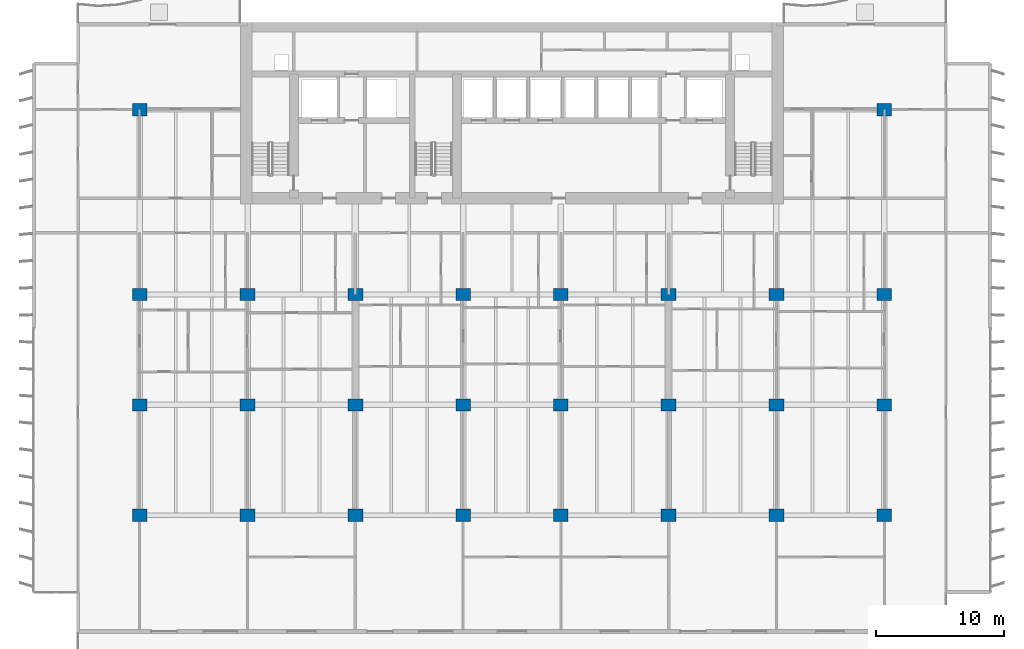
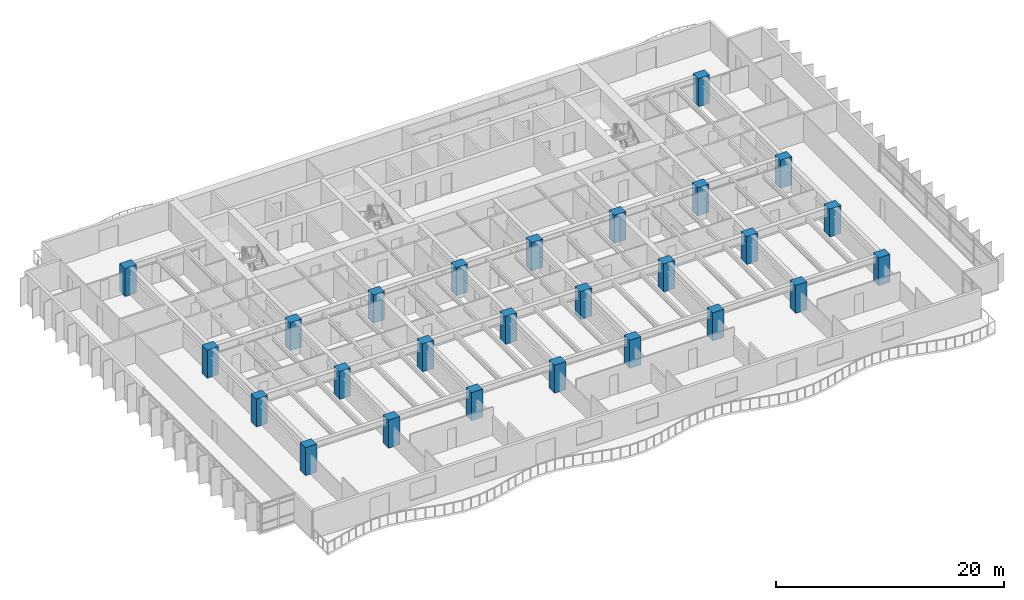
# One storey, part 1 of 15: 26 columns.
"""IFC4 building model written with IfcOpenShell, lengths in metres."""

from ifc_helpers import new_model, si_unit, direction, frame, origin, origin_2d, place, context, subcontext, project, spatial, rectangle, extrude, material, material_profile, profile_set, type_object, element, save


model = new_model("IFC4")

# Units and contexts
model_context = context("Model", 3, precision=1e-05, world=origin(), true_north=direction((0.0, 1.0)))
body_context = subcontext(model_context, "Body", "Model", "MODEL_VIEW")
ifc_project = project(units=[si_unit("LENGTHUNIT", "METRE"), si_unit("AREAUNIT", "SQUARE_METRE"), si_unit("VOLUMEUNIT", "CUBIC_METRE"), si_unit("PLANEANGLEUNIT", "RADIAN"), si_unit("MASSUNIT", "GRAM", prefix="KILO")], contexts=[model_context])

# Site, building, storey
site_placement = place(None, origin())
site = spatial("IfcSite", under=ifc_project, at=site_placement, CompositionType="ELEMENT")
building_placement = place(site_placement, origin())
building = spatial("IfcBuilding", under=site, at=building_placement, Name="Caelmar Bay Residences", CompositionType="ELEMENT")
storey_placement = place(building_placement, frame((0.0, 0.0, 76.199951171875)))
storey = spatial("IfcBuildingStorey", under=building, at=storey_placement, Name="L20", CompositionType="ELEMENT", Elevation=76.199951171875)

# Columns
ifc_material = material(Name="Concrete f'c 70 MPa (10,000 psi)", Category="concrete")
ifc_material_profile = material_profile(ifc_material, rectangle(XDim=1.14990234375, YDim=0.949951171875, at=origin_2d()), Name="RC-COL-1150X950")
ifc_profile_set = profile_set([ifc_material_profile], Name="Concrete f'c 70 MPa (10,000 psi)")
column_type = type_object("IfcColumnType", Name="COL-RC-1150X950", PredefinedType="COLUMN", material=ifc_profile_set)
for number, where, z_axis, x_axis, name in (
    (1, (9.89990234375, 12.199951171875, 0.0), (0.0, 0.0, 1.0), (1.0, 0.0, 0.0), "L20 Column (9.90,12.20)"),
    (2, (18.300048828125, 12.199951171875, 0.0), (0.0, 0.0, 1.0), (1.0, 0.0, 0.0), "L20 Column (18.30,12.20)"),
    (3, (26.699951171875, 12.199951171875, 0.0), (0.0, 0.0, 1.0), (1.0, 0.0, 0.0), "L20 Column (26.70,12.20)"),
    (4, (35.10009765625, 12.199951171875, 0.0), (0.0, 0.0, 1.0), (1.0, 0.0, 0.0), "L20 Column (35.10,12.20)"),
    (5, (42.699951171875, 12.199951171875, 0.0), (0.0, 0.0, 1.0), (1.0, 0.0, 0.0), "L20 Column (42.70,12.20)"),
    (6, (51.10009765625, 12.199951171875, 0.0), (0.0, 0.0, 1.0), (1.0, 0.0, 0.0), "L20 Column (51.10,12.20)"),
    (7, (59.5, 12.199951171875, 0.0), (0.0, 0.0, 1.0), (1.0, 0.0, 0.0), "L20 Column (59.50,12.20)"),
    (8, (67.89990234375, 12.199951171875, 0.0), (0.0, 0.0, 1.0), (1.0, 0.0, 0.0), "L20 Column (67.90,12.20)"),
    (9, (9.89990234375, 20.800048828125, 0.0), (0.0, 0.0, 1.0), (1.0, 0.0, 0.0), "L20 Column (9.90,20.80)"),
    (10, (18.300048828125, 20.800048828125, 0.0), (0.0, 0.0, 1.0), (1.0, 0.0, 0.0), "L20 Column (18.30,20.80)"),
    (11, (26.699951171875, 20.800048828125, 0.0), (0.0, 0.0, 1.0), (1.0, 0.0, 0.0), "L20 Column (26.70,20.80)"),
    (12, (35.10009765625, 20.800048828125, 0.0), (0.0, 0.0, 1.0), (1.0, 0.0, 0.0), "L20 Column (35.10,20.80)"),
    (13, (42.699951171875, 20.800048828125, 0.0), (0.0, 0.0, 1.0), (1.0, 0.0, 0.0), "L20 Column (42.70,20.80)"),
    (14, (51.10009765625, 20.800048828125, 0.0), (0.0, 0.0, 1.0), (1.0, 0.0, 0.0), "L20 Column (51.10,20.80)"),
    (15, (59.5, 20.800048828125, 0.0), (0.0, 0.0, 1.0), (1.0, 0.0, 0.0), "L20 Column (59.50,20.80)"),
    (16, (67.89990234375, 20.800048828125, 0.0), (0.0, 0.0, 1.0), (1.0, 0.0, 0.0), "L20 Column (67.90,20.80)"),
    (17, (9.89990234375, 29.39990234375, 0.0), (0.0, 0.0, 1.0), (1.0, 0.0, 0.0), "L20 Column (9.90,29.40)"),
    (18, (18.300048828125, 29.39990234375, 0.0), (0.0, 0.0, 1.0), (1.0, 0.0, 0.0), "L20 Column (18.30,29.40)"),
    (19, (26.699951171875, 29.39990234375, 0.0), (0.0, 0.0, 1.0), (1.0, 0.0, 0.0), "L20 Column (26.70,29.40)"),
    (20, (35.10009765625, 29.39990234375, 0.0), (0.0, 0.0, 1.0), (1.0, 0.0, 0.0), "L20 Column (35.10,29.40)"),
    (21, (42.699951171875, 29.39990234375, 0.0), (0.0, 0.0, 1.0), (1.0, 0.0, 0.0), "L20 Column (42.70,29.40)"),
    (22, (51.10009765625, 29.39990234375, 0.0), (0.0, 0.0, 1.0), (1.0, 0.0, 0.0), "L20 Column (51.10,29.40)"),
    (23, (59.5, 29.39990234375, 0.0), (0.0, 0.0, 1.0), (1.0, 0.0, 0.0), "L20 Column (59.50,29.40)"),
    (24, (67.89990234375, 29.39990234375, 0.0), (0.0, 0.0, 1.0), (1.0, 0.0, 0.0), "L20 Column (67.90,29.40)"),
    (25, (9.89990234375, 43.800048828125, 0.0), (0.0, 0.0, 1.0), (1.0, 0.0, 0.0), "L20 Column (9.90,43.80)"),
    (26, (67.89990234375, 43.800048828125, 0.0), (0.0, 0.0, 1.0), (1.0, 0.0, 0.0), "L20 Column (67.90,43.80)"),
):
    element("IfcColumn", number, at=place(storey_placement, frame(where, z_axis=z_axis, x_axis=x_axis)), inside=storey, type_object=column_type, Name=name, PredefinedType="COLUMN", context=body_context, shape_type="SweptSolid", body=[
        extrude(rectangle(XDim=1.14990234375, YDim=0.949951171875, at=origin_2d()), origin(), (0.0, 0.0, 1.0), 3.0),
    ])

save(model, "model.ifc")
